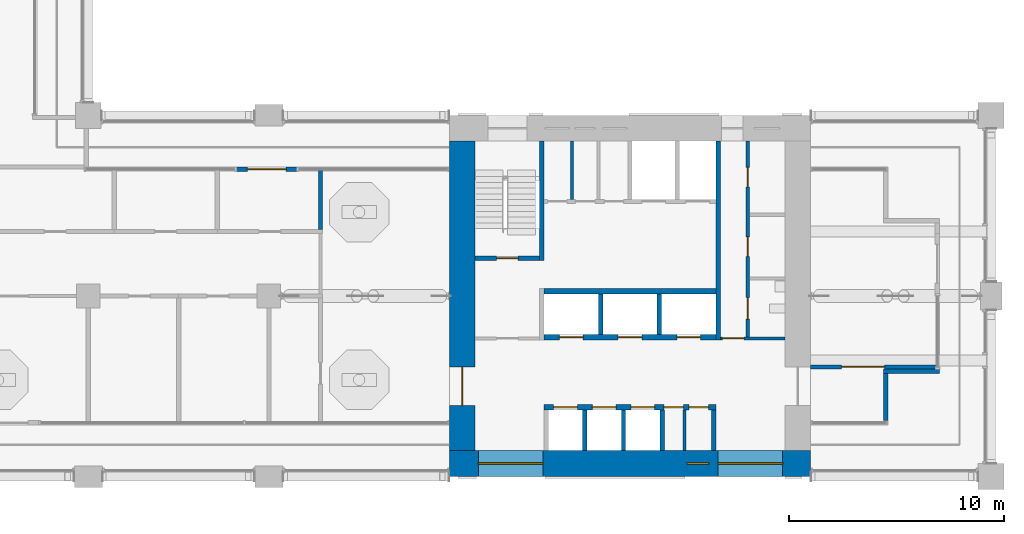
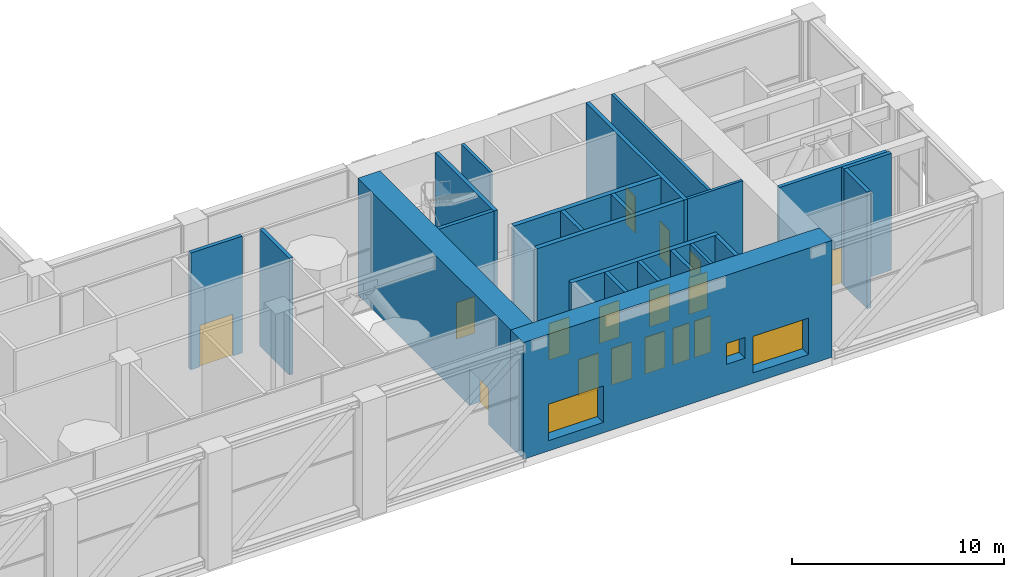
# One storey, part 10 of 22: 23 walls, 16 doors, 3 windows, 19 openings.
"""IFC4 building model written with IfcOpenShell, lengths in metres."""

from ifc_helpers import new_model, si_unit, direction, frame, frame_2d, origin, place, context, subcontext, project, spatial, rectangle, extrude, material, layer, layer_set, type_object, element, fill, save


model = new_model("IFC4")

# Units and contexts
model_context = context("Model", 3, precision=1e-05, world=origin(), true_north=direction((0.0, 1.0)))
body_context = subcontext(model_context, "Body", "Model", "MODEL_VIEW")
ifc_project = project(units=[si_unit("LENGTHUNIT", "METRE"), si_unit("AREAUNIT", "SQUARE_METRE"), si_unit("VOLUMEUNIT", "CUBIC_METRE"), si_unit("PLANEANGLEUNIT", "RADIAN"), si_unit("MASSUNIT", "GRAM", prefix="KILO")], contexts=[model_context])

# Site, building, storey
site_placement = place(None, origin())
site = spatial("IfcSite", under=ifc_project, at=site_placement, CompositionType="ELEMENT")
building_placement = place(site_placement, origin())
building = spatial("IfcBuilding", under=site, at=building_placement, Name="Vermilion Gate Residences", CompositionType="ELEMENT")
storey_placement = place(building_placement, frame((0.0, 0.0, 140.699951171875)))
storey = spatial("IfcBuildingStorey", under=building, at=storey_placement, Name="L36", CompositionType="ELEMENT", Elevation=140.699951171875)

# Walls
ifc_material_1 = material(Name="Masonry blockwork", Category="masonry")
ifc_layer_1 = layer(ifc_material_1, 0.14990234375)
ifc_layer_set_1 = layer_set([ifc_layer_1], Name="BLOCKWORK PARTITION 150 EI 120")
wall_type_1 = type_object("IfcWallType", Name="BLOCKWORK PARTITION 150 EI 120", PredefinedType="PARTITIONING", material=ifc_layer_set_1)
wall_1_placement = place(storey_placement, frame((52.93603515625, 9.60009765625, 0.0), z_axis=(0.0, 0.0, 1.0), x_axis=(0.0, 1.0, 0.0)))
element("IfcWall", 1, at=wall_1_placement, inside=storey, type_object=wall_type_1, Name="Core room partition A36-SR-P0", PredefinedType="PARTITIONING", context=body_context, shape_type="SweptSolid", body=[
    extrude(rectangle(XDim=1.89990234375, YDim=0.14990234375, at=frame_2d((0.949951171875, 0.0))), origin(), (0.0, 0.0, 1.0), 6.719970703125),
])
wall_2_placement = place(storey_placement, frame((47.698974609375, 21.300048828125, 0.0), z_axis=(0.0, 0.0, 1.0), x_axis=(0.0, 1.0, 0.0)))
element("IfcWall", 2, at=wall_2_placement, inside=storey, type_object=wall_type_1, Name="Core room partition A36-NR-P0", PredefinedType="PARTITIONING", context=body_context, shape_type="SweptSolid", body=[
    extrude(rectangle(XDim=2.699951171875, YDim=0.14990234375, at=frame_2d((1.35009765625, 0.0))), origin(), (0.0, 0.0, 1.0), 6.719970703125),
])

# Wall, opening, door
wall_3_placement = place(storey_placement, frame((54.60009765625, 14.824951171875, 0.0), z_axis=(0.0, 0.0, 1.0), x_axis=(1.0, 0.0, 0.0)))
wall_3 = element("IfcWall", 3, at=wall_3_placement, inside=storey, type_object=wall_type_1, Name="Core room partition A36-ES-S", PredefinedType="PARTITIONING", context=body_context, shape_type="SweptSolid", body=[
    extrude(rectangle(XDim=3.0, YDim=0.14990234375, at=frame_2d((1.5, 0.0))), origin(), (0.0, 0.0, 1.0), 6.719970703125),
])
opening_1_placement = place(wall_3_placement, frame((0.10009765625, 0.0, 0.0)))
opening_1 = element("IfcOpeningElement", 4, at=opening_1_placement, cuts=wall_3, Name="Opening DK36018", PredefinedType="OPENING", context=body_context, shape_type="SweptSolid", body=[
    extrude(rectangle(XDim=1.0, YDim=2.10009765625, at=frame_2d((0.5, 1.050048828125))), frame((0.0, 0.0849609375, 0.0), z_axis=(0.0, -1.0, 0.0), x_axis=(1.0, 0.0, 0.0)), (0.0, 0.0, 1.0), 0.169921875),
])
ifc_material_2 = material(Name="Steel", Category="steel")
door_type_1 = type_object("IfcDoorType", Name="FIRE DOOR FD60 1000 X 2100", OperationType="SINGLE_SWING_LEFT", PredefinedType="DOOR", material=ifc_material_2)
door_1_placement = place(opening_1_placement, frame((1.0, 0.0, 0.0), z_axis=(0.0, 0.0, 1.0), x_axis=(-1.0, 0.0, 0.0)))
door_1 = element("IfcDoor", 5, at=door_1_placement, inside=storey, type_object=door_type_1, Name="Service corridor door A36", OperationType="SINGLE_SWING_LEFT", OverallHeight=2.10009765625, OverallWidth=1.0, PredefinedType="DOOR", context=body_context, shape_type="SweptSolid", body=[
    extrude(rectangle(XDim=1.0, YDim=2.10009765625, at=frame_2d((0.5, 1.050048828125))), frame((0.0, 0.02490234375, 0.0), z_axis=(0.0, -1.0, 0.0), x_axis=(1.0, 0.0, 0.0)), (0.0, 0.0, 1.0), 0.050048828125),
])
fill(opening_1, door_1)

# Wall, openings, doors
wall_4_placement = place(storey_placement, frame((55.875, 14.89990234375, 0.0), z_axis=(0.0, 0.0, 1.0), x_axis=(0.0, 1.0, 0.0)))
wall_4 = element("IfcWall", 6, at=wall_4_placement, inside=storey, type_object=wall_type_1, Name="Core room partition A36-ES-W", PredefinedType="PARTITIONING", context=body_context, shape_type="SweptSolid", body=[
    extrude(rectangle(XDim=9.10009765625, YDim=0.14990234375, at=frame_2d((4.550048828125, 0.0))), origin(), (0.0, 0.0, 1.0), 6.719970703125),
])
opening_2_placement = place(wall_4_placement, frame((0.820068359375, 0.0, 0.0)))
opening_2 = element("IfcOpeningElement", 7, at=opening_2_placement, cuts=wall_4, Name="Opening DK36019", PredefinedType="OPENING", context=body_context, shape_type="SweptSolid", body=[
    extrude(rectangle(XDim=1.0, YDim=2.10009765625, at=frame_2d((0.5, 1.050048828125))), frame((0.0, 0.0849609375, 0.0), z_axis=(0.0, -1.0, 0.0), x_axis=(1.0, 0.0, 0.0)), (0.0, 0.0, 1.0), 0.169921875),
])
opening_3_placement = place(wall_4_placement, frame((3.748046875, 0.0, 0.0)))
opening_3 = element("IfcOpeningElement", 8, at=opening_3_placement, cuts=wall_4, Name="Opening DK36020", PredefinedType="OPENING", context=body_context, shape_type="SweptSolid", body=[
    extrude(rectangle(XDim=0.89990234375, YDim=2.10009765625, at=frame_2d((0.449951171875, 1.050048828125))), frame((0.0, 0.0849609375, 0.0), z_axis=(0.0, -1.0, 0.0), x_axis=(1.0, 0.0, 0.0)), (0.0, 0.0, 1.0), 0.169921875),
])
opening_4_placement = place(wall_4_placement, frame((6.97802734375, 0.0, 0.0)))
opening_4 = element("IfcOpeningElement", 9, at=opening_4_placement, cuts=wall_4, Name="Opening DK36021", PredefinedType="OPENING", context=body_context, shape_type="SweptSolid", body=[
    extrude(rectangle(XDim=0.89990234375, YDim=2.10009765625, at=frame_2d((0.449951171875, 1.050048828125))), frame((0.0, 0.0849609375, 0.0), z_axis=(0.0, -1.0, 0.0), x_axis=(1.0, 0.0, 0.0)), (0.0, 0.0, 1.0), 0.169921875),
])
door_2_placement = place(opening_2_placement, frame((1.0, 0.0, 0.0), z_axis=(0.0, 0.0, 1.0), x_axis=(-1.0, 0.0, 0.0)))
door_2 = element("IfcDoor", 10, at=door_2_placement, inside=storey, type_object=door_type_1, Name="Accessible WC A36", OperationType="SINGLE_SWING_LEFT", OverallHeight=2.10009765625, OverallWidth=1.0, PredefinedType="DOOR", context=body_context, shape_type="SweptSolid", body=[
    extrude(rectangle(XDim=1.0, YDim=2.10009765625, at=frame_2d((0.5, 1.050048828125))), frame((0.0, 0.02490234375, 0.0), z_axis=(0.0, -1.0, 0.0), x_axis=(1.0, 0.0, 0.0)), (0.0, 0.0, 1.0), 0.050048828125),
])
fill(opening_2, door_2)
ifc_material_3 = material(Name="Steel", Category="steel")
door_type_2 = type_object("IfcDoorType", Name="SERVICE ROOM DOOR FD60 900 X 2100", OperationType="SINGLE_SWING_LEFT", PredefinedType="DOOR", material=ifc_material_3)
door_3_placement = place(opening_3_placement, frame((0.89990234375, 0.0, 0.0), z_axis=(0.0, 0.0, 1.0), x_axis=(-1.0, 0.0, 0.0)))
door_3 = element("IfcDoor", 11, at=door_3_placement, inside=storey, type_object=door_type_2, Name="Water tank room A36", OperationType="SINGLE_SWING_LEFT", OverallHeight=2.10009765625, OverallWidth=0.89990234375, PredefinedType="DOOR", context=body_context, shape_type="SweptSolid", body=[
    extrude(rectangle(XDim=0.89990234375, YDim=2.10009765625, at=frame_2d((0.449951171875, 1.050048828125))), frame((0.0, 0.02490234375, 0.0), z_axis=(0.0, -1.0, 0.0), x_axis=(1.0, 0.0, 0.0)), (0.0, 0.0, 1.0), 0.050048828125),
])
fill(opening_3, door_3)
door_4_placement = place(opening_4_placement, frame((0.89990234375, 0.0, 0.0), z_axis=(0.0, 0.0, 1.0), x_axis=(-1.0, 0.0, 0.0)))
door_4 = element("IfcDoor", 12, at=door_4_placement, inside=storey, type_object=door_type_2, Name="Chiller plant room A36", OperationType="SINGLE_SWING_RIGHT", OverallHeight=2.10009765625, OverallWidth=0.89990234375, PredefinedType="DOOR", context=body_context, shape_type="SweptSolid", body=[
    extrude(rectangle(XDim=0.89990234375, YDim=2.10009765625, at=frame_2d((0.449951171875, 1.050048828125))), frame((0.0, 0.02490234375, 0.0), z_axis=(0.0, -1.0, 0.0), x_axis=(1.0, 0.0, 0.0)), (0.0, 0.0, 1.0), 0.050048828125),
])
fill(opening_4, door_4)

# Walls
ifc_material_4 = material(Name="Insulated steel stud wall with terracotta rainscreen", Category="masonry")
ifc_layer_2 = layer(ifc_material_4, 0.199951171875)
ifc_layer_set_2 = layer_set([ifc_layer_2], Name="EXTERNAL WALL 200 TERRACOTTA RAINSCREEN")
wall_type_2 = type_object("IfcWallType", Name="EXTERNAL WALL 200 TERRACOTTA RAINSCREEN", PredefinedType="SOLIDWALL", material=ifc_layer_set_2)
wall_5_placement = place(storey_placement, frame((62.300048828125, 11.0, 0.0), z_axis=(0.0, 0.0, 1.0), x_axis=(0.0, 1.0, 0.0)))
element("IfcWall", 13, at=wall_5_placement, inside=storey, type_object=wall_type_2, Name="External wall", PredefinedType="SOLIDWALL", context=body_context, shape_type="SweptSolid", body=[
    extrude(rectangle(XDim=2.199951171875, YDim=0.199951171875, at=frame_2d((1.10009765625, 0.0))), origin(), (0.0, 0.0, 1.0), 6.719970703125),
])
wall_6_placement = place(storey_placement, frame((62.199951171875, 13.300048828125, 0.0), z_axis=(0.0, 0.0, 1.0), x_axis=(1.0, 0.0, 0.0)))
element("IfcWall", 14, at=wall_6_placement, inside=storey, type_object=wall_type_2, Name="External wall", PredefinedType="SOLIDWALL", context=body_context, shape_type="SweptSolid", body=[
    extrude(rectangle(XDim=2.60009765625, YDim=0.199951171875, at=frame_2d((1.300048828125, 0.0))), origin(), (0.0, 0.0, 1.0), 6.719970703125),
])

# Wall, opening, door
wall_7_placement = place(storey_placement, frame((34.89990234375, 22.699951171875, 0.0), z_axis=(0.0, 0.0, 1.0), x_axis=(-1.0, 0.0, 0.0)))
wall_7 = element("IfcWall", 15, at=wall_7_placement, inside=storey, type_object=wall_type_2, Name="External wall", PredefinedType="SOLIDWALL", context=body_context, shape_type="SweptSolid", body=[
    extrude(rectangle(XDim=2.7998046875, YDim=0.199951171875, at=frame_2d((1.39990234375, 0.0))), origin(), (0.0, 0.0, 1.0), 6.719970703125),
])
opening_5_placement = place(wall_7_placement, frame((0.5, 0.0, 0.0)))
opening_5 = element("IfcOpeningElement", 16, at=opening_5_placement, cuts=wall_7, Name="Opening DE36003", PredefinedType="OPENING", context=body_context, shape_type="SweptSolid", body=[
    extrude(rectangle(XDim=1.800048828125, YDim=2.39990234375, at=frame_2d((0.89990234375, 1.199951171875))), frame((0.0, 0.10986328125, 0.0), z_axis=(0.0, -1.0, 0.0), x_axis=(1.0, 0.0, 0.0)), (0.0, 0.0, 1.0), 0.219970703125),
])
ifc_material_5 = material(Name="Aluminium and clear glass", Category="aluminium")
door_type_3 = type_object("IfcDoorType", Name="GLAZED EXTERNAL DOOR 1800 X 2400", OperationType="DOUBLE_DOOR_SINGLE_SWING", PredefinedType="DOOR", material=ifc_material_5)
door_5_placement = place(opening_5_placement, frame((1.800048828125, 0.0, 0.0), z_axis=(0.0, 0.0, 1.0), x_axis=(-1.0, 0.0, 0.0)))
door_5 = element("IfcDoor", 17, at=door_5_placement, inside=storey, type_object=door_type_3, Name="Terrace door", OperationType="DOUBLE_DOOR_SINGLE_SWING", OverallHeight=2.39990234375, OverallWidth=1.800048828125, PredefinedType="DOOR", context=body_context, shape_type="SweptSolid", body=[
    extrude(rectangle(XDim=1.800048828125, YDim=2.39990234375, at=frame_2d((0.89990234375, 1.199951171875))), frame((0.0, 0.02490234375, 0.0), z_axis=(0.0, -1.0, 0.0), x_axis=(1.0, 0.0, 0.0)), (0.0, 0.0, 1.0), 0.050048828125),
])
fill(opening_5, door_5)

# Wall
ifc_material_6 = material(Name="Concrete blockwork", Category="masonry")
ifc_layer_3 = layer(ifc_material_6, 0.199951171875)
ifc_layer_set_3 = layer_set([ifc_layer_3], Name="FIRE WALL 200 EI 120 (AMENITY)")
wall_type_3 = type_object("IfcWallType", Name="FIRE WALL 200 EI 120 (AMENITY)", PredefinedType="PARTITIONING", material=ifc_layer_set_3)
wall_8_placement = place(storey_placement, frame((36.0, 19.89990234375, 0.0), z_axis=(0.0, 0.0, 1.0), x_axis=(0.0, 1.0, 0.0)))
element("IfcWall", 18, at=wall_8_placement, inside=storey, type_object=wall_type_3, Name="Fire-resisting wall 35", PredefinedType="PARTITIONING", context=body_context, shape_type="SweptSolid", body=[
    extrude(rectangle(XDim=2.800048828125, YDim=0.199951171875, at=frame_2d((1.39990234375, 0.0))), origin(), (0.0, 0.0, 1.0), 6.719970703125),
])

# Wall, opening, door
wall_9_placement = place(storey_placement, frame((58.800048828125, 13.5, 0.0), z_axis=(0.0, 0.0, 1.0), x_axis=(1.0, 0.0, 0.0)))
wall_9 = element("IfcWall", 19, at=wall_9_placement, inside=storey, type_object=wall_type_3, Name="Fire-resisting wall 36", PredefinedType="PARTITIONING", context=body_context, shape_type="SweptSolid", body=[
    extrude(rectangle(XDim=5.89990234375, YDim=0.199951171875, at=frame_2d((2.949951171875, 0.0))), origin(), (0.0, 0.0, 1.0), 6.719970703125),
])
opening_6_placement = place(wall_9_placement, frame((1.449951171875, 0.0, 0.0)))
opening_6 = element("IfcOpeningElement", 20, at=opening_6_placement, cuts=wall_9, Name="Opening DM36014", PredefinedType="OPENING", context=body_context, shape_type="SweptSolid", body=[
    extrude(rectangle(XDim=2.0, YDim=2.10009765625, at=frame_2d((1.0, 1.050048828125))), frame((0.0, 0.10986328125, 0.0), z_axis=(0.0, -1.0, 0.0), x_axis=(1.0, 0.0, 0.0)), (0.0, 0.0, 1.0), 0.219970703125),
])
ifc_material_7 = material(Name="Steel", Category="steel")
door_type_4 = type_object("IfcDoorType", Name="DOUBLE DOOR 2000 X 2100 FD60 (AMENITY)", OperationType="DOUBLE_DOOR_SINGLE_SWING", PredefinedType="DOOR", material=ifc_material_7)
door_6_placement = place(opening_6_placement, origin())
door_6 = element("IfcDoor", 21, at=door_6_placement, inside=storey, type_object=door_type_4, Name="Door L36 14", OperationType="DOUBLE_DOOR_SINGLE_SWING", OverallHeight=2.10009765625, OverallWidth=2.0, PredefinedType="DOOR", context=body_context, shape_type="SweptSolid", body=[
    extrude(rectangle(XDim=2.0, YDim=2.10009765625, at=frame_2d((1.0, 1.050048828125))), frame((0.0, 0.02490234375, 0.0), z_axis=(0.0, -1.0, 0.0), x_axis=(1.0, 0.0, 0.0)), (0.0, 0.0, 1.0), 0.050048828125),
])
fill(opening_6, door_6)

# Walls
ifc_material_8 = material(Name="Concrete C60", Category="concrete")
ifc_layer_4 = layer(ifc_material_8, 0.199951171875)
ifc_layer_set_4 = layer_set([ifc_layer_4], Name="RC CORE INTERNAL WALL 200 C60")
wall_type_4 = type_object("IfcWallType", Name="RC CORE INTERNAL WALL 200 C60", PredefinedType="SHEAR", material=ifc_layer_set_4)
for number, where, z_axis, x_axis, name in (
    (22, (48.300048828125, 9.60009765625, 0.0), (0.0, 0.0, 1.0), (0.0, 1.0, 0.0), "Core internal wall A36-LR-D1"),
    (23, (50.10009765625, 9.60009765625, 0.0), (0.0, 0.0, 1.0), (0.0, 1.0, 0.0), "Core internal wall A36-LR-D2"),
    (24, (51.89990234375, 9.60009765625, 0.0), (0.0, 0.0, 1.0), (0.0, 1.0, 0.0), "Core internal wall A36-LR-D3"),
    (25, (54.300048828125, 9.60009765625, 0.0), (0.0, 0.0, 1.0), (0.0, 1.0, 0.0), "Core internal wall A36-LR-DE"),
    (26, (49.033447265625, 15.0, 0.0), (0.0, 0.0, 1.0), (0.0, 1.0, 0.0), "Core internal wall A36-HR-D1"),
    (27, (51.7666015625, 15.0, 0.0), (0.0, 0.0, 1.0), (0.0, 1.0, 0.0), "Core internal wall A36-HR-D2"),
):
    element("IfcWall", number, at=place(storey_placement, frame(where, z_axis=z_axis, x_axis=x_axis)), inside=storey, type_object=wall_type_4, Name=name, PredefinedType="SHEAR", context=body_context, shape_type="SweptSolid", body=[
        extrude(rectangle(XDim=1.89990234375, YDim=0.199951171875, at=frame_2d((0.949951171875, 0.0))), origin(), (0.0, 0.0, 1.0), 6.719970703125),
    ])
wall_10_placement = place(storey_placement, frame((46.300048828125, 18.449951171875, 0.0), z_axis=(0.0, 0.0, 1.0), x_axis=(0.0, 1.0, 0.0)))
element("IfcWall", 28, at=wall_10_placement, inside=storey, type_object=wall_type_4, Name="Core internal wall A36-WDIV2", PredefinedType="SHEAR", context=body_context, shape_type="SweptSolid", body=[
    extrude(rectangle(XDim=5.550048828125, YDim=0.199951171875, at=frame_2d((2.77490234375, 0.0))), origin(), (0.0, 0.0, 1.0), 6.719970703125),
])

# Wall, opening, door
wall_11_placement = place(storey_placement, frame((43.199951171875, 18.550048828125, 0.0), z_axis=(0.0, 0.0, 1.0), x_axis=(1.0, 0.0, 0.0)))
wall_11 = element("IfcWall", 29, at=wall_11_placement, inside=storey, type_object=wall_type_4, Name="Core internal wall A36-STW-S", PredefinedType="SHEAR", context=body_context, shape_type="SweptSolid", body=[
    extrude(rectangle(XDim=3.0, YDim=0.199951171875, at=frame_2d((1.5, 0.0))), origin(), (0.0, 0.0, 1.0), 6.719970703125),
])
opening_7_placement = place(wall_11_placement, frame((1.0, 0.0, 0.0)))
opening_7 = element("IfcOpeningElement", 30, at=opening_7_placement, cuts=wall_11, Name="Opening DK36017", PredefinedType="OPENING", context=body_context, shape_type="SweptSolid", body=[
    extrude(rectangle(XDim=1.0, YDim=2.10009765625, at=frame_2d((0.5, 1.050048828125))), frame((0.0, 0.10986328125, 0.0), z_axis=(0.0, -1.0, 0.0), x_axis=(1.0, 0.0, 0.0)), (0.0, 0.0, 1.0), 0.219970703125),
])
door_7_placement = place(opening_7_placement, origin())
door_7 = element("IfcDoor", 31, at=door_7_placement, inside=storey, type_object=door_type_1, Name="Stair door A36", OperationType="SINGLE_SWING_RIGHT", OverallHeight=2.10009765625, OverallWidth=1.0, PredefinedType="DOOR", context=body_context, shape_type="SweptSolid", body=[
    extrude(rectangle(XDim=1.0, YDim=2.10009765625, at=frame_2d((0.5, 1.050048828125))), frame((0.0, 0.02490234375, 0.0), z_axis=(0.0, -1.0, 0.0), x_axis=(1.0, 0.0, 0.0)), (0.0, 0.0, 1.0), 0.050048828125),
])
fill(opening_7, door_7)

# Wall
wall_12_placement = place(storey_placement, frame((54.5, 14.75, 0.0), z_axis=(0.0, 0.0, 1.0), x_axis=(0.0, 1.0, 0.0)))
element("IfcWall", 32, at=wall_12_placement, inside=storey, type_object=wall_type_4, Name="Core internal wall A36-EDIV", PredefinedType="SHEAR", context=body_context, shape_type="SweptSolid", body=[
    extrude(rectangle(XDim=9.25, YDim=0.199951171875, at=frame_2d((4.625, 0.0))), origin(), (0.0, 0.0, 1.0), 6.719970703125),
])

# Wall, opening, door
ifc_material_9 = material(Name="Concrete C70", Category="concrete")
ifc_layer_5 = layer(ifc_material_9, 1.199951171875)
ifc_layer_set_5 = layer_set([ifc_layer_5], Name="RC CORE WALL 1200 C70")
wall_type_5 = type_object("IfcWallType", Name="RC CORE WALL 1200 C70", PredefinedType="SHEAR", material=ifc_layer_set_5)
wall_13_placement = place(storey_placement, frame((42.60009765625, 9.60009765625, 0.0), z_axis=(0.0, 0.0, 1.0), x_axis=(0.0, 1.0, 0.0)))
wall_13 = element("IfcWall", 33, at=wall_13_placement, inside=storey, type_object=wall_type_5, Name="Core wall A36-OUT-FR", PredefinedType="SHEAR", context=body_context, shape_type="SweptSolid", body=[
    extrude(rectangle(XDim=14.39990234375, YDim=1.199951171875, at=frame_2d((7.199951171875, 0.0))), origin(), (0.0, 0.0, 1.0), 6.719970703125),
])
opening_8_placement = place(wall_13_placement, frame((2.10009765625, 0.0, 0.0)))
opening_8 = element("IfcOpeningElement", 34, at=opening_8_placement, cuts=wall_13, Name="Opening DK36001", PredefinedType="OPENING", context=body_context, shape_type="SweptSolid", body=[
    extrude(rectangle(XDim=1.800048828125, YDim=2.10009765625, at=frame_2d((0.89990234375, 1.050048828125))), frame((0.0, 0.60986328125, 0.0), z_axis=(0.0, -1.0, 0.0), x_axis=(1.0, 0.0, 0.0)), (0.0, 0.0, 1.0), 1.219970703125),
])
ifc_material_10 = material(Name="Steel", Category="steel")
door_type_5 = type_object("IfcDoorType", Name="CORE LOBBY DOOR FD60 1800 X 2100", OperationType="DOUBLE_DOOR_SINGLE_SWING", PredefinedType="DOOR", material=ifc_material_10)
door_8_placement = place(opening_8_placement, frame((1.800048828125, 0.0, 0.0), z_axis=(0.0, 0.0, 1.0), x_axis=(-1.0, 0.0, 0.0)))
door_8 = element("IfcDoor", 35, at=door_8_placement, inside=storey, type_object=door_type_5, Name="Core lobby door A36", OperationType="DOUBLE_DOOR_SINGLE_SWING", OverallHeight=2.10009765625, OverallWidth=1.800048828125, PredefinedType="DOOR", context=body_context, shape_type="SweptSolid", body=[
    extrude(rectangle(XDim=1.800048828125, YDim=2.10009765625, at=frame_2d((0.89990234375, 1.050048828125))), frame((0.0, 0.02490234375, 0.0), z_axis=(0.0, -1.0, 0.0), x_axis=(1.0, 0.0, 0.0)), (0.0, 0.0, 1.0), 0.050048828125),
])
fill(opening_8, door_8)

# Wall, openings, windows
ifc_material_11 = material(Name="Concrete C70 red-oxide pigmented", Category="concrete")
ifc_layer_6 = layer(ifc_material_11, 1.199951171875)
ifc_layer_set_6 = layer_set([ifc_layer_6], Name="RC CORE WALL 1200 C70 RED OXIDE")
wall_type_6 = type_object("IfcWallType", Name="RC CORE WALL 1200 C70 RED OXIDE", PredefinedType="SHEAR", material=ifc_layer_set_6)
wall_14_placement = place(storey_placement, frame((42.0, 9.0, 0.0), z_axis=(0.0, 0.0, 1.0), x_axis=(1.0, 0.0, 0.0)))
wall_14 = element("IfcWall", 36, at=wall_14_placement, inside=storey, type_object=wall_type_6, Name="Core wall A36-OUT-B0", PredefinedType="SHEAR", context=body_context, shape_type="SweptSolid", body=[
    extrude(rectangle(XDim=16.800048828125, YDim=1.199951171875, at=frame_2d((8.39990234375, 0.0))), origin(), (0.0, 0.0, 1.0), 6.719970703125),
])
opening_9_placement = place(wall_14_placement, frame((1.35009765625, 0.0, 0.60009765625)))
opening_9 = element("IfcOpeningElement", 37, at=opening_9_placement, cuts=wall_14, Name="Opening WKA3601", PredefinedType="OPENING", context=body_context, shape_type="SweptSolid", body=[
    extrude(rectangle(XDim=3.0, YDim=2.10009765625, at=frame_2d((1.5, 1.050048828125))), frame((0.0, 0.60986328125, 0.0), z_axis=(0.0, -1.0, 0.0), x_axis=(1.0, 0.0, 0.0)), (0.0, 0.0, 1.0), 1.219970703125),
])
opening_10_placement = place(wall_14_placement, frame((11.06103515625, 0.0, 1.60009765625)))
opening_10 = element("IfcOpeningElement", 38, at=opening_10_placement, cuts=wall_14, Name="Opening WKA3602", PredefinedType="OPENING", context=body_context, shape_type="SweptSolid", body=[
    extrude(rectangle(XDim=1.0, YDim=1.199951171875, at=frame_2d((0.5, 0.60009765625))), frame((0.0, 0.60986328125, 0.0), z_axis=(0.0, -1.0, 0.0), x_axis=(1.0, 0.0, 0.0)), (0.0, 0.0, 1.0), 1.219970703125),
])
opening_11_placement = place(wall_14_placement, frame((12.5, 0.0, 0.60009765625)))
opening_11 = element("IfcOpeningElement", 39, at=opening_11_placement, cuts=wall_14, Name="Opening WKA3603", PredefinedType="OPENING", context=body_context, shape_type="SweptSolid", body=[
    extrude(rectangle(XDim=3.0, YDim=2.10009765625, at=frame_2d((1.5, 1.050048828125))), frame((0.0, 0.60986328125, 0.0), z_axis=(0.0, -1.0, 0.0), x_axis=(1.0, 0.0, 0.0)), (0.0, 0.0, 1.0), 1.219970703125),
])
ifc_material_12 = material(Name="Aluminium and clear glass", Category="aluminium")
window_type_1 = type_object("IfcWindowType", Name="CORE LOBBY WINDOW 3000 X 2100", PartitioningType="SINGLE_PANEL", PredefinedType="WINDOW", material=ifc_material_12)
window_1_placement = place(opening_9_placement, origin())
window_1 = element("IfcWindow", 40, at=window_1_placement, inside=storey, type_object=window_type_1, Name="Core lobby window", OverallHeight=2.10009765625, OverallWidth=3.0, PartitioningType="SINGLE_PANEL", PredefinedType="WINDOW", context=body_context, shape_type="SweptSolid", body=[
    extrude(rectangle(XDim=3.0, YDim=2.10009765625, at=frame_2d((1.5, 1.050048828125))), frame((0.0, 0.030029296875, 0.0), z_axis=(0.0, -1.0, 0.0), x_axis=(1.0, 0.0, 0.0)), (0.0, 0.0, 1.0), 0.06005859375),
])
fill(opening_9, window_1)
window_2_placement = place(opening_11_placement, origin())
window_2 = element("IfcWindow", 41, at=window_2_placement, inside=storey, type_object=window_type_1, Name="Core lobby window", OverallHeight=2.10009765625, OverallWidth=3.0, PartitioningType="SINGLE_PANEL", PredefinedType="WINDOW", context=body_context, shape_type="SweptSolid", body=[
    extrude(rectangle(XDim=3.0, YDim=2.10009765625, at=frame_2d((1.5, 1.050048828125))), frame((0.0, 0.030029296875, 0.0), z_axis=(0.0, -1.0, 0.0), x_axis=(1.0, 0.0, 0.0)), (0.0, 0.0, 1.0), 0.06005859375),
])
fill(opening_11, window_2)
ifc_material_13 = material(Name="Aluminium frame with louvre blades", Category="aluminium")
window_type_2 = type_object("IfcWindowType", Name="CORE LOUVRE 1000 X 1200", PartitioningType="SINGLE_PANEL", PredefinedType="WINDOW", material=ifc_material_13)
window_3_placement = place(opening_10_placement, origin())
window_3 = element("IfcWindow", 42, at=window_3_placement, inside=storey, type_object=window_type_2, Name="Core louvre", OverallHeight=1.199951171875, OverallWidth=1.0, PartitioningType="SINGLE_PANEL", PredefinedType="WINDOW", context=body_context, shape_type="SweptSolid", body=[
    extrude(rectangle(XDim=1.0, YDim=1.199951171875, at=frame_2d((0.5, 0.60009765625))), frame((0.0, 0.030029296875, 0.0), z_axis=(0.0, -1.0, 0.0), x_axis=(1.0, 0.0, 0.0)), (0.0, 0.0, 1.0), 0.06005859375),
])
fill(opening_10, window_3)

# Wall, openings, doors
ifc_material_14 = material(Name="Concrete C60", Category="concrete")
ifc_layer_7 = layer(ifc_material_14, 0.25)
ifc_layer_set_7 = layer_set([ifc_layer_7], Name="RC LIFT SHAFT WALL 250 C60")
wall_type_7 = type_object("IfcWallType", Name="RC LIFT SHAFT WALL 250 C60", PredefinedType="SHEAR", material=ifc_layer_set_7)
wall_15_placement = place(storey_placement, frame((46.39990234375, 11.625, 0.0), z_axis=(0.0, 0.0, 1.0), x_axis=(1.0, 0.0, 0.0)))
wall_15 = element("IfcWall", 43, at=wall_15_placement, inside=storey, type_object=wall_type_7, Name="Lift shaft wall A36-LR-F", PredefinedType="SHEAR", context=body_context, shape_type="SweptSolid", body=[
    extrude(rectangle(XDim=8.0, YDim=0.25, at=frame_2d((4.0, 0.0))), origin(), (0.0, 0.0, 1.0), 6.719970703125),
])
opening_12_placement = place(wall_15_placement, frame((0.449951171875, 0.0, 0.0)))
opening_12 = element("IfcOpeningElement", 44, at=opening_12_placement, cuts=wall_15, Name="Opening LD", PredefinedType="OPENING", context=body_context, shape_type="SweptSolid", body=[
    extrude(rectangle(XDim=1.10009765625, YDim=2.10009765625, at=frame_2d((0.550048828125, 1.050048828125))), frame((0.0, 0.135009765625, 0.0), z_axis=(0.0, -1.0, 0.0), x_axis=(1.0, 0.0, 0.0)), (0.0, 0.0, 1.0), 0.27001953125),
])
opening_13_placement = place(wall_15_placement, frame((2.25, 0.0, 0.0)))
opening_13 = element("IfcOpeningElement", 45, at=opening_13_placement, cuts=wall_15, Name="Opening LD", PredefinedType="OPENING", context=body_context, shape_type="SweptSolid", body=[
    extrude(rectangle(XDim=1.10009765625, YDim=2.10009765625, at=frame_2d((0.550048828125, 1.050048828125))), frame((0.0, 0.135009765625, 0.0), z_axis=(0.0, -1.0, 0.0), x_axis=(1.0, 0.0, 0.0)), (0.0, 0.0, 1.0), 0.27001953125),
])
opening_14_placement = place(wall_15_placement, frame((4.050048828125, 0.0, 0.0)))
opening_14 = element("IfcOpeningElement", 46, at=opening_14_placement, cuts=wall_15, Name="Opening LD", PredefinedType="OPENING", context=body_context, shape_type="SweptSolid", body=[
    extrude(rectangle(XDim=1.10009765625, YDim=2.10009765625, at=frame_2d((0.550048828125, 1.050048828125))), frame((0.0, 0.135009765625, 0.0), z_axis=(0.0, -1.0, 0.0), x_axis=(1.0, 0.0, 0.0)), (0.0, 0.0, 1.0), 0.27001953125),
])
opening_15_placement = place(wall_15_placement, frame((5.58056640625, 0.0, 0.0)))
opening_15 = element("IfcOpeningElement", 47, at=opening_15_placement, cuts=wall_15, Name="Opening DK36006", PredefinedType="OPENING", context=body_context, shape_type="SweptSolid", body=[
    extrude(rectangle(XDim=0.89990234375, YDim=2.10009765625, at=frame_2d((0.449951171875, 1.050048828125))), frame((0.0, 0.135009765625, 0.0), z_axis=(0.0, -1.0, 0.0), x_axis=(1.0, 0.0, 0.0)), (0.0, 0.0, 1.0), 0.27001953125),
])
opening_16_placement = place(wall_15_placement, frame((6.755615234375, 0.0, 0.0)))
opening_16 = element("IfcOpeningElement", 48, at=opening_16_placement, cuts=wall_15, Name="Opening DK36007", PredefinedType="OPENING", context=body_context, shape_type="SweptSolid", body=[
    extrude(rectangle(XDim=0.89990234375, YDim=2.10009765625, at=frame_2d((0.449951171875, 1.050048828125))), frame((0.0, 0.135009765625, 0.0), z_axis=(0.0, -1.0, 0.0), x_axis=(1.0, 0.0, 0.0)), (0.0, 0.0, 1.0), 0.27001953125),
])
ifc_material_15 = material(Name="Stainless steel", Category="steel")
door_type_6 = type_object("IfcDoorType", Name="LIFT LANDING DOOR E60 1100 X 2100", OperationType="DOUBLE_DOOR_SLIDING", PredefinedType="DOOR", material=ifc_material_15)
door_9_placement = place(opening_12_placement, origin())
door_9 = element("IfcDoor", 49, at=door_9_placement, inside=storey, type_object=door_type_6, Name="Lift landing door LRA1", OperationType="DOUBLE_DOOR_SLIDING", OverallHeight=2.10009765625, OverallWidth=1.10009765625, PredefinedType="DOOR", context=body_context, shape_type="SweptSolid", body=[
    extrude(rectangle(XDim=1.10009765625, YDim=2.10009765625, at=frame_2d((0.550048828125, 1.050048828125))), frame((0.0, 0.02490234375, 0.0), z_axis=(0.0, -1.0, 0.0), x_axis=(1.0, 0.0, 0.0)), (0.0, 0.0, 1.0), 0.050048828125),
])
fill(opening_12, door_9)
door_10_placement = place(opening_13_placement, origin())
door_10 = element("IfcDoor", 50, at=door_10_placement, inside=storey, type_object=door_type_6, Name="Lift landing door LRA2", OperationType="DOUBLE_DOOR_SLIDING", OverallHeight=2.10009765625, OverallWidth=1.10009765625, PredefinedType="DOOR", context=body_context, shape_type="SweptSolid", body=[
    extrude(rectangle(XDim=1.10009765625, YDim=2.10009765625, at=frame_2d((0.550048828125, 1.050048828125))), frame((0.0, 0.02490234375, 0.0), z_axis=(0.0, -1.0, 0.0), x_axis=(1.0, 0.0, 0.0)), (0.0, 0.0, 1.0), 0.050048828125),
])
fill(opening_13, door_10)
door_11_placement = place(opening_14_placement, origin())
door_11 = element("IfcDoor", 51, at=door_11_placement, inside=storey, type_object=door_type_6, Name="Lift landing door LRA3", OperationType="DOUBLE_DOOR_SLIDING", OverallHeight=2.10009765625, OverallWidth=1.10009765625, PredefinedType="DOOR", context=body_context, shape_type="SweptSolid", body=[
    extrude(rectangle(XDim=1.10009765625, YDim=2.10009765625, at=frame_2d((0.550048828125, 1.050048828125))), frame((0.0, 0.02490234375, 0.0), z_axis=(0.0, -1.0, 0.0), x_axis=(1.0, 0.0, 0.0)), (0.0, 0.0, 1.0), 0.050048828125),
])
fill(opening_14, door_11)
door_12_placement = place(opening_15_placement, origin())
door_12 = element("IfcDoor", 52, at=door_12_placement, inside=storey, type_object=door_type_2, Name="Electrical switch room A36", OperationType="SINGLE_SWING_LEFT", OverallHeight=2.10009765625, OverallWidth=0.89990234375, PredefinedType="DOOR", context=body_context, shape_type="SweptSolid", body=[
    extrude(rectangle(XDim=0.89990234375, YDim=2.10009765625, at=frame_2d((0.449951171875, 1.050048828125))), frame((0.0, 0.02490234375, 0.0), z_axis=(0.0, -1.0, 0.0), x_axis=(1.0, 0.0, 0.0)), (0.0, 0.0, 1.0), 0.050048828125),
])
fill(opening_15, door_12)
door_13_placement = place(opening_16_placement, origin())
door_13 = element("IfcDoor", 53, at=door_13_placement, inside=storey, type_object=door_type_2, Name="Transformer room A36", OperationType="SINGLE_SWING_LEFT", OverallHeight=2.10009765625, OverallWidth=0.89990234375, PredefinedType="DOOR", context=body_context, shape_type="SweptSolid", body=[
    extrude(rectangle(XDim=0.89990234375, YDim=2.10009765625, at=frame_2d((0.449951171875, 1.050048828125))), frame((0.0, 0.02490234375, 0.0), z_axis=(0.0, -1.0, 0.0), x_axis=(1.0, 0.0, 0.0)), (0.0, 0.0, 1.0), 0.050048828125),
])
fill(opening_16, door_13)

wall_16_placement = place(storey_placement, frame((46.39990234375, 14.875, 0.0), z_axis=(0.0, 0.0, 1.0), x_axis=(1.0, 0.0, 0.0)))
wall_16 = element("IfcWall", 54, at=wall_16_placement, inside=storey, type_object=wall_type_7, Name="Lift shaft wall A36-HR-F", PredefinedType="SHEAR", context=body_context, shape_type="SweptSolid", body=[
    extrude(rectangle(XDim=8.0, YDim=0.25, at=frame_2d((4.0, 0.0))), origin(), (0.0, 0.0, 1.0), 6.719970703125),
])
opening_17_placement = place(wall_16_placement, frame((0.716552734375, 0.0, 0.0)))
opening_17 = element("IfcOpeningElement", 55, at=opening_17_placement, cuts=wall_16, Name="Opening LD", PredefinedType="OPENING", context=body_context, shape_type="SweptSolid", body=[
    extrude(rectangle(XDim=1.10009765625, YDim=2.10009765625, at=frame_2d((0.550048828125, 1.050048828125))), frame((0.0, 0.135009765625, 0.0), z_axis=(0.0, -1.0, 0.0), x_axis=(1.0, 0.0, 0.0)), (0.0, 0.0, 1.0), 0.27001953125),
])
opening_18_placement = place(wall_16_placement, frame((3.449951171875, 0.0, 0.0)))
opening_18 = element("IfcOpeningElement", 56, at=opening_18_placement, cuts=wall_16, Name="Opening LD", PredefinedType="OPENING", context=body_context, shape_type="SweptSolid", body=[
    extrude(rectangle(XDim=1.10009765625, YDim=2.10009765625, at=frame_2d((0.550048828125, 1.050048828125))), frame((0.0, 0.135009765625, 0.0), z_axis=(0.0, -1.0, 0.0), x_axis=(1.0, 0.0, 0.0)), (0.0, 0.0, 1.0), 0.27001953125),
])
opening_19_placement = place(wall_16_placement, frame((6.183349609375, 0.0, 0.0)))
opening_19 = element("IfcOpeningElement", 57, at=opening_19_placement, cuts=wall_16, Name="Opening LD", PredefinedType="OPENING", context=body_context, shape_type="SweptSolid", body=[
    extrude(rectangle(XDim=1.10009765625, YDim=2.10009765625, at=frame_2d((0.550048828125, 1.050048828125))), frame((0.0, 0.135009765625, 0.0), z_axis=(0.0, -1.0, 0.0), x_axis=(1.0, 0.0, 0.0)), (0.0, 0.0, 1.0), 0.27001953125),
])
door_14_placement = place(opening_17_placement, origin())
door_14 = element("IfcDoor", 58, at=door_14_placement, inside=storey, type_object=door_type_6, Name="Lift landing door HRA1", OperationType="DOUBLE_DOOR_SLIDING", OverallHeight=2.10009765625, OverallWidth=1.10009765625, PredefinedType="DOOR", context=body_context, shape_type="SweptSolid", body=[
    extrude(rectangle(XDim=1.10009765625, YDim=2.10009765625, at=frame_2d((0.550048828125, 1.050048828125))), frame((0.0, 0.02490234375, 0.0), z_axis=(0.0, -1.0, 0.0), x_axis=(1.0, 0.0, 0.0)), (0.0, 0.0, 1.0), 0.050048828125),
])
fill(opening_17, door_14)
door_15_placement = place(opening_18_placement, origin())
door_15 = element("IfcDoor", 59, at=door_15_placement, inside=storey, type_object=door_type_6, Name="Lift landing door HRA2", OperationType="DOUBLE_DOOR_SLIDING", OverallHeight=2.10009765625, OverallWidth=1.10009765625, PredefinedType="DOOR", context=body_context, shape_type="SweptSolid", body=[
    extrude(rectangle(XDim=1.10009765625, YDim=2.10009765625, at=frame_2d((0.550048828125, 1.050048828125))), frame((0.0, 0.02490234375, 0.0), z_axis=(0.0, -1.0, 0.0), x_axis=(1.0, 0.0, 0.0)), (0.0, 0.0, 1.0), 0.050048828125),
])
fill(opening_18, door_15)
door_16_placement = place(opening_19_placement, origin())
door_16 = element("IfcDoor", 60, at=door_16_placement, inside=storey, type_object=door_type_6, Name="Lift landing door HRA3", OperationType="DOUBLE_DOOR_SLIDING", OverallHeight=2.10009765625, OverallWidth=1.10009765625, PredefinedType="DOOR", context=body_context, shape_type="SweptSolid", body=[
    extrude(rectangle(XDim=1.10009765625, YDim=2.10009765625, at=frame_2d((0.550048828125, 1.050048828125))), frame((0.0, 0.02490234375, 0.0), z_axis=(0.0, -1.0, 0.0), x_axis=(1.0, 0.0, 0.0)), (0.0, 0.0, 1.0), 0.050048828125),
])
fill(opening_19, door_16)

# Wall
wall_17_placement = place(storey_placement, frame((46.39990234375, 17.02490234375, 0.0), z_axis=(0.0, 0.0, 1.0), x_axis=(1.0, 0.0, 0.0)))
element("IfcWall", 61, at=wall_17_placement, inside=storey, type_object=wall_type_7, Name="Lift shaft wall A36-HR-B", PredefinedType="SHEAR", context=body_context, shape_type="SweptSolid", body=[
    extrude(rectangle(XDim=8.0, YDim=0.25, at=frame_2d((4.0, 0.0))), origin(), (0.0, 0.0, 1.0), 6.719970703125),
])

save(model, "model.ifc")
